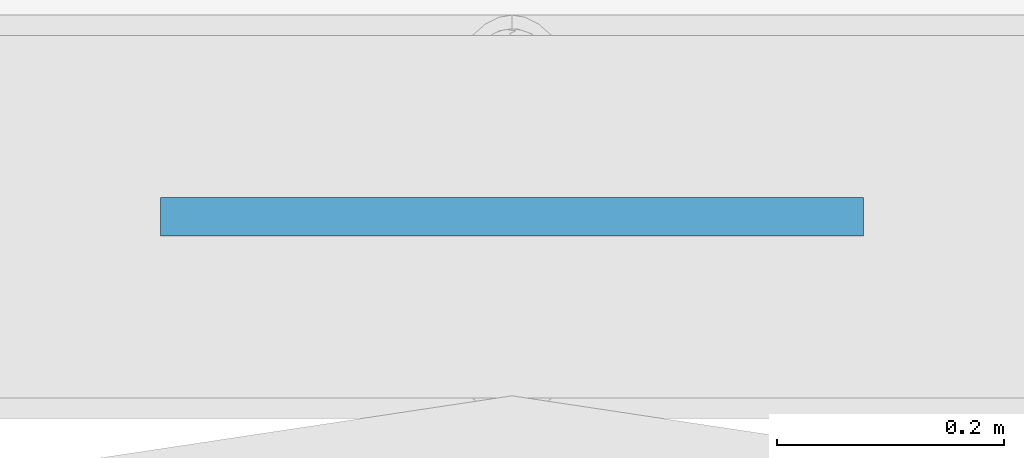
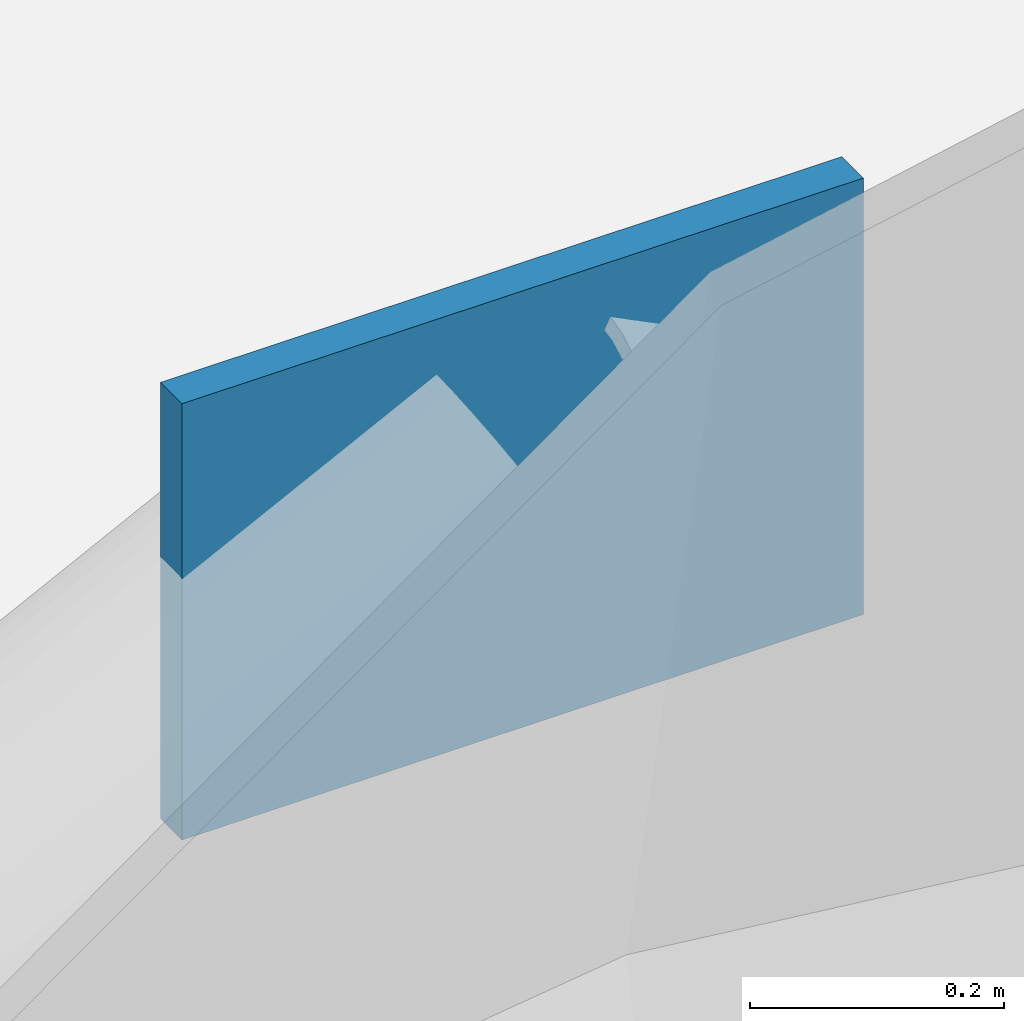
# One storey, part 35 of 76: 1 plate.
"""IFC4 building model written with IfcOpenShell, lengths in metres."""

import ifcopenshell
import ifcopenshell.guid

model = None  # the IFC model being written
_history = None  # IfcOwnerHistory: only IFC2X3 demands one
_inside = {}  # id of a spatial element -> (the spatial element, [elements in it])
_under = {}  # id of a project, library or spatial element -> (it, [spatial elements below it])
_declared = {}  # id of a project -> (the project, [libraries it declares])
_typed = {}  # id of a type object -> (the type object, [elements of that type])
_made_of = {}  # id of a material, layer set ... -> (it, [elements and type objects made of it])


def new_model(schema):
    """Start an empty IFC model of exactly this schema.

    Asked for "IFC4X3", IfcOpenShell would pick the latest addendum, in which some entities
    have other attributes; the version numbers below select the first issue.
    IFC2X3 requires an IfcOwnerHistory on every rooted entity: one is made here for all.
    """
    global model, _history
    if schema == "IFC4X3":
        model = ifcopenshell.file(schema_version=(4, 3, 0, 0))
    else:
        model = ifcopenshell.file(schema=schema)
    _inside.clear()
    _under.clear()
    _declared.clear()
    _typed.clear()
    _made_of.clear()
    _history = None
    if model.schema == "IFC2X3":
        org = make("IfcOrganization", Name="unknown")
        user = make(
            "IfcPersonAndOrganization",
            ThePerson=make("IfcPerson", FamilyName="unknown"),
            TheOrganization=org,
        )
        app = make(
            "IfcApplication",
            ApplicationDeveloper=org,
            Version="unknown",
            ApplicationFullName="unknown",
            ApplicationIdentifier="unknown",
        )
        _history = make(
            "IfcOwnerHistory",
            OwningUser=user,
            OwningApplication=app,
            ChangeAction="ADDED",
            CreationDate=0,
        )
    return model


def make(cls, **values):
    """One entity of the class cls with the attributes given. An attribute that is None is left unset."""
    return model.create_entity(
        cls, **{name: value for name, value in values.items() if value is not None}
    )


def rooted(cls, **values):
    """An entity with a GlobalId (a new one), such as an element, a storey or a relation."""
    return make(cls, GlobalId=ifcopenshell.guid.new(), OwnerHistory=_history, **values)


def si_unit(unit_type, name, prefix=None):
    """IfcSIUnit, for example si_unit("LENGTHUNIT", "METRE", prefix="MILLI")."""
    return make("IfcSIUnit", UnitType=unit_type, Prefix=prefix, Name=name)


def derived_unit(unit_type, elements):
    """IfcDerivedUnit: a product of units, each with its exponent."""
    return make(
        "IfcDerivedUnit",
        Elements=[
            make("IfcDerivedUnitElement", Unit=unit, Exponent=power)
            for unit, power in elements
        ],
        UnitType=unit_type,
    )


def assignment(units):
    """IfcUnitAssignment: the units of a project."""
    return None if units is None else make("IfcUnitAssignment", Units=units)


def point(xyz):
    """IfcCartesianPoint."""
    return None if xyz is None else make("IfcCartesianPoint", Coordinates=xyz)


def direction(xyz):
    """IfcDirection."""
    return None if xyz is None else make("IfcDirection", DirectionRatios=xyz)


def frame(location, z_axis=None, x_axis=None):
    """IfcAxis2Placement3D, a coordinate frame: its origin and axes. An axis left out is left unset."""
    return make(
        "IfcAxis2Placement3D",
        Location=point(location),
        Axis=direction(z_axis),
        RefDirection=direction(x_axis),
    )


def frame_2d(location, x_axis=None):
    """IfcAxis2Placement2D, a coordinate frame in the plane: its origin and x axis."""
    return make(
        "IfcAxis2Placement2D", Location=point(location), RefDirection=direction(x_axis)
    )


def origin():
    """The frame at (0, 0, 0) with its axes left unset."""
    return frame((0.0, 0.0, 0.0))


def origin_2d():
    """The frame at (0, 0) in the plane with its x axis left unset."""
    return frame_2d((0.0, 0.0))


def place(relative_to, where):
    """IfcLocalPlacement: puts the frame where relative to a parent placement (None: the world)."""
    return make(
        "IfcLocalPlacement", PlacementRelTo=relative_to, RelativePlacement=where
    )


def context(
    kind, dimensions, precision=None, world=None, true_north=None, identifier=None
):
    """IfcGeometricRepresentationContext, for example the 3D "Model" context."""
    return make(
        "IfcGeometricRepresentationContext",
        ContextIdentifier=identifier,
        ContextType=kind,
        CoordinateSpaceDimension=dimensions,
        Precision=precision,
        WorldCoordinateSystem=world,
        TrueNorth=true_north,
    )


def subcontext(parent, identifier, kind, view, scale=None):
    """IfcGeometricRepresentationSubContext, for example "Body" below "Model"."""
    return make(
        "IfcGeometricRepresentationSubContext",
        ContextIdentifier=identifier,
        ContextType=kind,
        ParentContext=parent,
        TargetScale=scale,
        TargetView=view,
    )


def project(units=None, contexts=None):
    """IfcProject with its units and contexts."""
    return rooted(
        "IfcProject",
        Name="project",
        RepresentationContexts=contexts,
        UnitsInContext=assignment(units),
    )


def spatial(cls, under=None, at=None, **own):
    """A site, building, storey or space (cls), placed at a placement, below another one or the project."""
    s = rooted(cls, ObjectPlacement=at, **own)
    if under is not None:
        _under.setdefault(under.id(), (under, []))[1].append(s)
    return s


def profile(cls, at=None, kind="AREA", **sizes):
    """A parametric profile (cls). Its sizes go by their IFC names, for example OverallWidth=200.0."""
    return make(cls, ProfileType=kind, Position=at, **sizes)


def rectangle(**sizes):
    """IfcRectangleProfileDef."""
    return profile("IfcRectangleProfileDef", **sizes)


def extrude(swept, where, along, depth):
    """IfcExtrudedAreaSolid: the profile swept, set in the frame where, extruded along a direction by depth."""
    return make(
        "IfcExtrudedAreaSolid",
        SweptArea=swept,
        Position=where,
        ExtrudedDirection=direction(along),
        Depth=depth,
    )


def shape(context_of_items, identifier, shape_type, items):
    """IfcShapeRepresentation: the items that make up one representation, for example the "Body"."""
    return make(
        "IfcShapeRepresentation",
        ContextOfItems=context_of_items,
        RepresentationIdentifier=identifier,
        RepresentationType=shape_type,
        Items=items,
    )


def material(Name=None, Category=None):
    """IfcMaterial."""
    return make("IfcMaterial", Name=Name, Category=Category)


def layer(
    of_material, thickness, ventilated=None, Name=None, Category=None, Priority=None
):
    """IfcMaterialLayer: one layer of a wall or slab, of a material (None: an air gap)."""
    return make(
        "IfcMaterialLayer",
        Material=of_material,
        LayerThickness=thickness,
        IsVentilated=ventilated,
        Name=Name,
        Category=Category,
        Priority=Priority,
    )


def layer_set(layers, Name=None):
    """IfcMaterialLayerSet."""
    return make("IfcMaterialLayerSet", MaterialLayers=layers, LayerSetName=Name)


def made_of(thing, what):
    """Note that an element or type object is made of a material, layer set ...; save() writes the relation."""
    if what is not None:
        _made_of.setdefault(what.id(), (what, []))[1].append(thing)
    return thing


def type_object(cls, material=None, **own):
    """A type object (cls), such as IfcWallType, which elements share."""
    return made_of(rooted(cls, **own), material)


def element(
    cls,
    number,
    at=None,
    inside=None,
    cuts=None,
    type_object=None,
    material=None,
    context=None,
    identifier="Body",
    shape_type=None,
    held_by="IfcProductDefinitionShape",
    body=None,
    shapes=None,
    **own,
):
    """One element of the class cls, such as IfcWall. Its Tag is "e" and its number.

    at: its placement. inside: the storey or other place that contains it. cuts: it is an
    opening in that element (IfcRelVoidsElement). A single representation is given by context,
    identifier, shape_type and body (its items); several are given by shapes. held_by: the class
    of the entity that holds the representations. save() writes the other relations.
    """
    e = rooted(cls, Tag="e%d" % number, ObjectPlacement=at, **own)
    if body is not None:
        shapes = [shape(context, identifier, shape_type, body)]
    if shapes is not None:
        e.Representation = make(held_by, Representations=shapes)
    if inside is not None:
        _inside.setdefault(inside.id(), (inside, []))[1].append(e)
    if cuts is not None:
        rooted(
            "IfcRelVoidsElement", RelatingBuildingElement=cuts, RelatedOpeningElement=e
        )
    if type_object is not None:
        _typed.setdefault(type_object.id(), (type_object, []))[1].append(e)
    return made_of(e, material)


def aggregate(whole, parts):
    """IfcRelAggregates: a whole, such as a stair, and the parts it consists of."""
    return rooted("IfcRelAggregates", RelatingObject=whole, RelatedObjects=parts)


def save(model, path):
    """Write the relations noted so far, then the file.

    IfcRelAggregates (storeys below a building ...), IfcRelContainedInSpatialStructure (elements
    in a storey), IfcRelDefinesByType, IfcRelAssociatesMaterial and IfcRelDeclares: one each for
    every whole, place, type object, material and project.
    """
    for whole, parts in _under.values():
        aggregate(whole, parts)
    for where, things in _inside.values():
        rooted(
            "IfcRelContainedInSpatialStructure",
            RelatedElements=things,
            RelatingStructure=where,
        )
    for kind, things in _typed.values():
        rooted("IfcRelDefinesByType", RelatedObjects=things, RelatingType=kind)
    for what, things in _made_of.values():
        rooted("IfcRelAssociatesMaterial", RelatedObjects=things, RelatingMaterial=what)
    for by, libraries in _declared.values():
        rooted("IfcRelDeclares", RelatingContext=by, RelatedDefinitions=libraries)
    model.write(path)


model = new_model("IFC4")

# Units and contexts
model_context = context("Model", 3, precision=1e-05, world=origin(), true_north=direction((0.0, 1.0)))
body_context = subcontext(model_context, "Body", "Model", "MODEL_VIEW")
ifc_project = project(units=[si_unit("LENGTHUNIT", "METRE"), si_unit("AREAUNIT", "SQUARE_METRE"), si_unit("VOLUMEUNIT", "CUBIC_METRE"), si_unit("PLANEANGLEUNIT", "RADIAN"), si_unit("MASSUNIT", "GRAM", prefix="KILO"), si_unit("THERMODYNAMICTEMPERATUREUNIT", "KELVIN"), derived_unit("THERMALTRANSMITTANCEUNIT", [(si_unit("POWERUNIT", "WATT"), 1), (si_unit("AREAUNIT", "SQUARE_METRE"), -1), (si_unit("THERMODYNAMICTEMPERATUREUNIT", "KELVIN"), -1)])], contexts=[model_context])

# Site, building, storey
site_placement = place(None, origin())
site = spatial("IfcSite", under=ifc_project, at=site_placement, CompositionType="ELEMENT")
building_placement = place(site_placement, origin())
building = spatial("IfcBuilding", under=site, at=building_placement, Name="Haiyu Intermodal Mobility Hub", CompositionType="ELEMENT")
storey_placement = place(building_placement, frame((0.0, 0.0, 17.300048828125)))
storey = spatial("IfcBuildingStorey", under=building, at=storey_placement, Name="L04", CompositionType="ELEMENT", Elevation=17.300048828125)

# Plate
ifc_material = material(Name="Steel Q355C", Category="steel")
ifc_layer = layer(ifc_material, 0.033935546875)
ifc_layer_set = layer_set([ifc_layer], Name="Steel Q355C")
plate_type = type_object("IfcPlateType", Name="PLT-GP04", PredefinedType="USERDEFINED", material=ifc_layer_set)
plate_placement = place(storey_placement, frame((102.0, 104.0, 2.7900390625), z_axis=(0.0, 0.0, 1.0), x_axis=(1.0, 0.0, 0.0)))
element("IfcPlate", 1, at=plate_placement, inside=storey, type_object=plate_type, Name="Chevron Brace Apex Gusset GP-B102", ObjectType="GUSSET PLATE", PredefinedType="USERDEFINED", context=body_context, shape_type="SweptSolid", body=[
    extrude(rectangle(XDim=0.6201171875, YDim=0.033935546875, at=origin_2d()), origin(), (0.0, 0.0, 1.0), 0.419921875),
])

save(model, "model.ifc")
